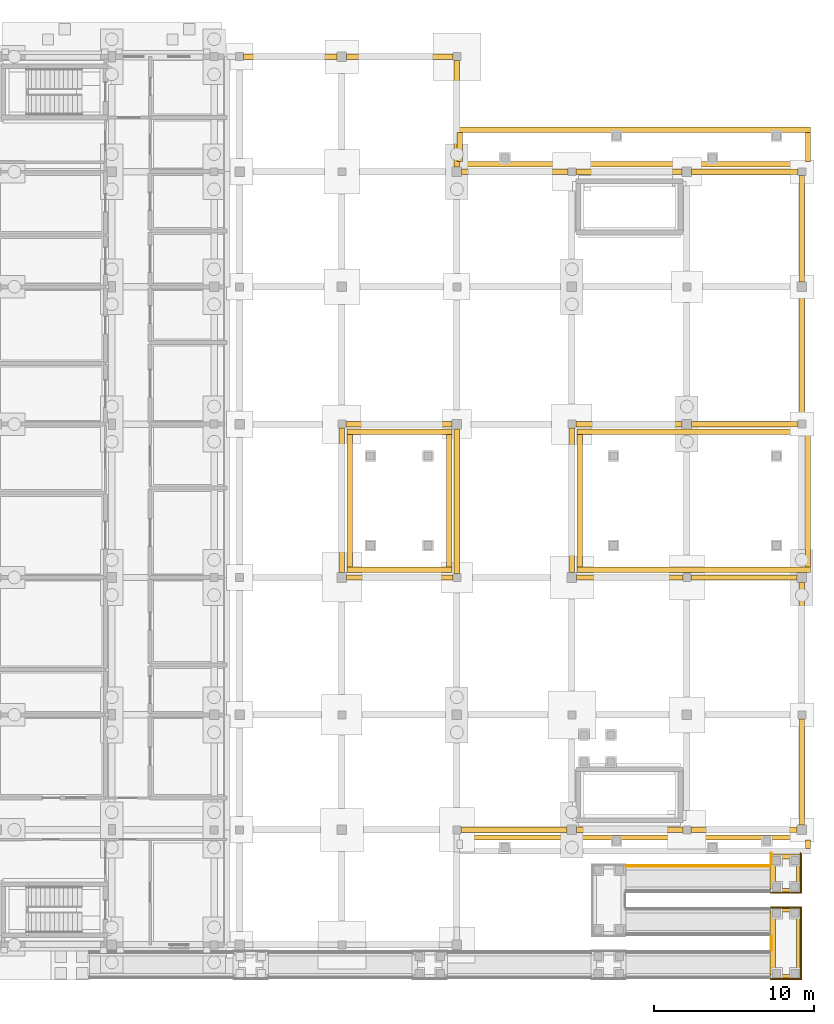
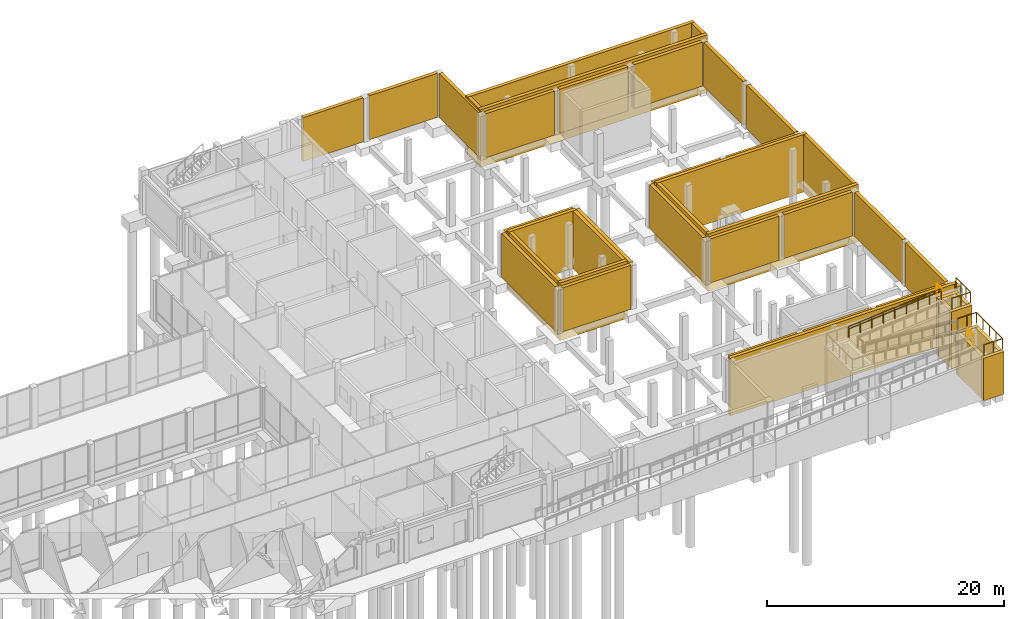
# One storey, part 104 of 104: 44 coverings, 6 railings.
"""IFC4 building model written with IfcOpenShell, lengths in metres."""

from ifc_helpers import new_model, si_unit, direction, frame, frame_2d, origin, origin_2d, place, context, subcontext, project, spatial, rectangle, circle, extrude, material, layer, layer_set, type_object, element, save


model = new_model("IFC4")

# Units and contexts
model_context = context("Model", 3, precision=1e-05, world=origin(), true_north=direction((0.0, 1.0)))
body_context = subcontext(model_context, "Body", "Model", "MODEL_VIEW")
ifc_project = project(units=[si_unit("LENGTHUNIT", "METRE"), si_unit("AREAUNIT", "SQUARE_METRE"), si_unit("VOLUMEUNIT", "CUBIC_METRE"), si_unit("PLANEANGLEUNIT", "RADIAN"), si_unit("MASSUNIT", "GRAM", prefix="KILO")], contexts=[model_context])

# Site, building, storey
site_placement = place(None, origin())
site = spatial("IfcSite", under=ifc_project, at=site_placement, CompositionType="ELEMENT")
building_placement = place(site_placement, origin())
building = spatial("IfcBuilding", under=site, at=building_placement, Name="Hawrajan Terrace Health Centre", CompositionType="ELEMENT")
storey_placement = place(building_placement, origin())
storey = spatial("IfcBuildingStorey", under=building, at=storey_placement, Name="L00", CompositionType="ELEMENT", Elevation=0.0)

# Coverings
ifc_material_1 = material(Name="Precast concrete C40/50", Category="concrete")
ifc_layer = layer(ifc_material_1, 0.340087890625)
ifc_layer_set = layer_set([ifc_layer], Name="Precast concrete C40/50")
covering_type = type_object("IfcCoveringType", Name="EscarpmentAshlar_Cladding", PredefinedType="CLADDING", material=ifc_layer_set)
for number, where, z_axis, x_axis, name in (
    (1, (151.31005859375, 27.679931640625, -1.60009765625), (0.0, 0.0, 1.0), (1.0, 0.0, 0.0), "Escarpment stone plinth cladding APRON-L01-EAST-GAIT-S"),
    (2, (151.31005859375, 36.320068359375, -1.60009765625), (0.0, 0.0, 1.0), (1.0, 0.0, 0.0), "Escarpment stone plinth cladding APRON-L01-EAST-GAIT-N"),
):
    element("IfcCovering", number, at=place(storey_placement, frame(where, z_axis=z_axis, x_axis=x_axis)), inside=storey, type_object=covering_type, Name=name, PredefinedType="CLADDING", context=body_context, shape_type="SweptSolid", body=[
        extrude(rectangle(XDim=14.639892578125, YDim=0.340087890625, at=frame_2d((7.31982421875, 0.0))), origin(), (0.0, 0.0, 1.0), 5.920166015625),
    ])
for number, where, z_axis, x_axis, name in (
    (3, (151.47998046875, 27.85009765625, -1.60009765625), (0.0, 0.0, 1.0), (0.0, 1.0, 0.0), "Escarpment stone plinth cladding APRON-L01-EAST-GAIT-W"),
    (4, (165.780029296875, 27.85009765625, -1.60009765625), (0.0, 0.0, 1.0), (0.0, 1.0, 0.0), "Escarpment stone plinth cladding APRON-L01-EAST-GAIT-E"),
):
    element("IfcCovering", number, at=place(storey_placement, frame(where, z_axis=z_axis, x_axis=x_axis)), inside=storey, type_object=covering_type, Name=name, PredefinedType="CLADDING", context=body_context, shape_type="SweptSolid", body=[
        extrude(rectangle(XDim=8.2998046875, YDim=0.340087890625, at=frame_2d((4.14990234375, 0.0))), origin(), (0.0, 0.0, 1.0), 5.920166015625),
    ])
covering_1_placement = place(storey_placement, frame((143.800048828125, 10.919921875, -1.60009765625), z_axis=(0.0, 0.0, 1.0), x_axis=(1.0, 0.0, 0.0)))
element("IfcCovering", 5, at=covering_1_placement, inside=storey, type_object=covering_type, Name="Escarpment stone plinth cladding APRON-L01-EAST-SOUTH-N", PredefinedType="CLADDING", context=body_context, shape_type="SweptSolid", body=[
    extrude(rectangle(XDim=22.14990234375, YDim=0.340087890625, at=frame_2d((11.074951171875, 0.0))), origin(), (0.0, 0.0, 1.0), 5.920166015625),
])
covering_2_placement = place(storey_placement, frame((165.780029296875, 10.239990234375, -1.60009765625), z_axis=(0.0, 0.0, 1.0), x_axis=(0.0, 1.0, 0.0)))
element("IfcCovering", 6, at=covering_2_placement, inside=storey, type_object=covering_type, Name="Escarpment stone plinth cladding APRON-L01-EAST-SOUTH-E", PredefinedType="CLADDING", context=body_context, shape_type="SweptSolid", body=[
    extrude(rectangle(XDim=0.510009765625, YDim=0.340087890625, at=frame_2d((0.2548828125, 0.0))), origin(), (0.0, 0.0, 1.0), 5.920166015625),
])
for number, where, z_axis, x_axis, name in (
    (7, (143.800048828125, 53.080078125, -1.60009765625), (0.0, 0.0, 1.0), (1.0, 0.0, 0.0), "Escarpment stone plinth cladding APRON-L01-EAST-NORTH-S"),
    (8, (143.800048828125, 55.22998046875, -1.60009765625), (0.0, 0.0, 1.0), (1.0, 0.0, 0.0), "Escarpment stone plinth cladding APRON-L01-EAST-NORTH-N"),
):
    element("IfcCovering", number, at=place(storey_placement, frame(where, z_axis=z_axis, x_axis=x_axis)), inside=storey, type_object=covering_type, Name=name, PredefinedType="CLADDING", context=body_context, shape_type="SweptSolid", body=[
        extrude(rectangle(XDim=22.14990234375, YDim=0.340087890625, at=frame_2d((11.074951171875, 0.0))), origin(), (0.0, 0.0, 1.0), 5.920166015625),
    ])
for number, where, z_axis, x_axis, name in (
    (9, (143.969970703125, 53.25, -1.60009765625), (0.0, 0.0, 1.0), (0.0, 1.0, 0.0), "Escarpment stone plinth cladding APRON-L01-EAST-NORTH-W"),
    (10, (165.780029296875, 53.25, -1.60009765625), (0.0, 0.0, 1.0), (0.0, 1.0, 0.0), "Escarpment stone plinth cladding APRON-L01-EAST-NORTH-E"),
):
    element("IfcCovering", number, at=place(storey_placement, frame(where, z_axis=z_axis, x_axis=x_axis)), inside=storey, type_object=covering_type, Name=name, PredefinedType="CLADDING", context=body_context, shape_type="SweptSolid", body=[
        extrude(rectangle(XDim=1.81005859375, YDim=0.340087890625, at=frame_2d((0.905029296875, 0.0))), origin(), (0.0, 0.0, 1.0), 5.920166015625),
    ])
for number, where, z_axis, x_axis, name in (
    (11, (136.909912109375, 27.679931640625, -1.60009765625), (0.0, 0.0, 1.0), (1.0, 0.0, 0.0), "Escarpment stone plinth cladding APRON-L01-SERVICE-S"),
    (12, (136.909912109375, 36.320068359375, -1.60009765625), (0.0, 0.0, 1.0), (1.0, 0.0, 0.0), "Escarpment stone plinth cladding APRON-L01-SERVICE-N"),
):
    element("IfcCovering", number, at=place(storey_placement, frame(where, z_axis=z_axis, x_axis=x_axis)), inside=storey, type_object=covering_type, Name=name, PredefinedType="CLADDING", context=body_context, shape_type="SweptSolid", body=[
        extrude(rectangle(XDim=6.580078125, YDim=0.340087890625, at=frame_2d((3.2900390625, 0.0))), origin(), (0.0, 0.0, 1.0), 5.920166015625),
    ])
for number, where, z_axis, x_axis, name in (
    (13, (137.080078125, 27.85009765625, -1.60009765625), (0.0, 0.0, 1.0), (0.0, 1.0, 0.0), "Escarpment stone plinth cladding APRON-L01-SERVICE-W"),
    (14, (143.320068359375, 27.85009765625, -1.60009765625), (0.0, 0.0, 1.0), (0.0, 1.0, 0.0), "Escarpment stone plinth cladding APRON-L01-SERVICE-E"),
):
    element("IfcCovering", number, at=place(storey_placement, frame(where, z_axis=z_axis, x_axis=x_axis)), inside=storey, type_object=covering_type, Name=name, PredefinedType="CLADDING", context=body_context, shape_type="SweptSolid", body=[
        extrude(rectangle(XDim=8.2998046875, YDim=0.340087890625, at=frame_2d((4.14990234375, 0.0))), origin(), (0.0, 0.0, 1.0), 5.920166015625),
    ])
for number, where, z_axis, x_axis, name in (
    (15, (163.39990234375, 2.169921875, -1.60009765625), (0.0, 0.0, 1.0), (1.0, 0.0, 0.0), "Escarpment stone plinth cladding RMP-04-LND-S"),
    (16, (163.39990234375, 6.429931640625, -1.60009765625), (0.0, 0.0, 1.0), (1.0, 0.0, 0.0), "Escarpment stone plinth cladding RMP-04-LND-N"),
):
    element("IfcCovering", number, at=place(storey_placement, frame(where, z_axis=z_axis, x_axis=x_axis)), inside=storey, type_object=covering_type, Name=name, PredefinedType="CLADDING", context=body_context, shape_type="SweptSolid", body=[
        extrude(rectangle(XDim=2.0, YDim=0.340087890625, at=frame_2d((1.0, 0.0))), origin(), (0.0, 0.0, 1.0), 4.3701171875),
    ])
for number, where, z_axis, x_axis, name in (
    (17, (163.570068359375, 2.340087890625, -1.60009765625), (0.0, 0.0, 1.0), (0.0, 1.0, 0.0), "Escarpment stone plinth cladding RMP-04-LND-W"),
    (18, (165.22998046875, 2.340087890625, -1.60009765625), (0.0, 0.0, 1.0), (0.0, 1.0, 0.0), "Escarpment stone plinth cladding RMP-04-LND-E"),
):
    element("IfcCovering", number, at=place(storey_placement, frame(where, z_axis=z_axis, x_axis=x_axis)), inside=storey, type_object=covering_type, Name=name, PredefinedType="CLADDING", context=body_context, shape_type="SweptSolid", body=[
        extrude(rectangle(XDim=3.919921875, YDim=0.340087890625, at=frame_2d((1.9599609375, 0.0))), origin(), (0.0, 0.0, 1.0), 4.3701171875),
    ])
for number, where, z_axis, x_axis, name in (
    (19, (163.39990234375, 7.570068359375, -1.60009765625), (0.0, 0.0, 1.0), (1.0, 0.0, 0.0), "Escarpment stone plinth cladding RMP-06-LND-S"),
    (20, (163.39990234375, 9.72998046875, -1.60009765625), (0.0, 0.0, 1.0), (1.0, 0.0, 0.0), "Escarpment stone plinth cladding RMP-06-LND-N"),
):
    element("IfcCovering", number, at=place(storey_placement, frame(where, z_axis=z_axis, x_axis=x_axis)), inside=storey, type_object=covering_type, Name=name, PredefinedType="CLADDING", context=body_context, shape_type="SweptSolid", body=[
        extrude(rectangle(XDim=2.0, YDim=0.340087890625, at=frame_2d((1.0, 0.0))), origin(), (0.0, 0.0, 1.0), 5.8701171875),
    ])
for number, where, z_axis, x_axis, name in (
    (21, (163.570068359375, 7.739990234375, -1.60009765625), (0.0, 0.0, 1.0), (0.0, 1.0, 0.0), "Escarpment stone plinth cladding RMP-06-LND-W"),
    (22, (165.22998046875, 7.739990234375, -1.60009765625), (0.0, 0.0, 1.0), (0.0, 1.0, 0.0), "Escarpment stone plinth cladding RMP-06-LND-E"),
):
    element("IfcCovering", number, at=place(storey_placement, frame(where, z_axis=z_axis, x_axis=x_axis)), inside=storey, type_object=covering_type, Name=name, PredefinedType="CLADDING", context=body_context, shape_type="SweptSolid", body=[
        extrude(rectangle(XDim=1.820068359375, YDim=0.340087890625, at=frame_2d((0.91015625, 0.0))), origin(), (0.0, 0.0, 1.0), 5.8701171875),
    ])
covering_3_placement = place(storey_placement, frame((136.60009765625, 27.5, -0.39990234375), z_axis=(0.0, 0.0, 1.0), x_axis=(0.0, 1.0, 0.0)))
element("IfcCovering", 23, at=covering_3_placement, inside=storey, type_object=covering_type, Name="Eastern limestone escarpment plinth cladding EW-ESC-L00-007", PredefinedType="CLADDING", context=body_context, shape_type="SweptSolid", body=[
    extrude(rectangle(XDim=9.050048828125, YDim=0.340087890625, at=frame_2d((4.52490234375, 0.0))), origin(), (0.0, 0.0, 1.0), 4.52001953125),
])
covering_4_placement = place(storey_placement, frame((130.449951171875, 59.800048828125, -0.39990234375), z_axis=(0.0, 0.0, 1.0), x_axis=(1.0, 0.0, 0.0)))
element("IfcCovering", 24, at=covering_4_placement, inside=storey, type_object=covering_type, Name="Eastern limestone escarpment plinth cladding EW-ESC-L00-011", PredefinedType="CLADDING", context=body_context, shape_type="SweptSolid", body=[
    extrude(rectangle(XDim=5.85009765625, YDim=0.340087890625, at=frame_2d((2.925048828125, 0.0))), origin(), (0.0, 0.0, 1.0), 4.52001953125),
])
covering_5_placement = place(storey_placement, frame((136.89990234375, 27.199951171875, -0.39990234375), z_axis=(0.0, 0.0, 1.0), x_axis=(1.0, 0.0, 0.0)))
element("IfcCovering", 25, at=covering_5_placement, inside=storey, type_object=covering_type, Name="Eastern limestone escarpment plinth cladding EW-ESC-L00-015", PredefinedType="CLADDING", context=body_context, shape_type="SweptSolid", body=[
    extrude(rectangle(XDim=6.650146484375, YDim=0.340087890625, at=frame_2d((3.3251953125, 0.0))), origin(), (0.0, 0.0, 1.0), 4.52001953125),
])
covering_6_placement = place(storey_placement, frame((136.85009765625, 36.800048828125, -0.39990234375), z_axis=(0.0, 0.0, 1.0), x_axis=(1.0, 0.0, 0.0)))
element("IfcCovering", 26, at=covering_6_placement, inside=storey, type_object=covering_type, Name="Eastern limestone escarpment plinth cladding EW-ESC-L00-016", PredefinedType="CLADDING", context=body_context, shape_type="SweptSolid", body=[
    extrude(rectangle(XDim=6.64990234375, YDim=0.340087890625, at=frame_2d((3.324951171875, 0.0))), origin(), (0.0, 0.0, 1.0), 4.52001953125),
])
for number, where, z_axis, x_axis, name in (
    (27, (136.89990234375, 59.800048828125, -0.39990234375), (0.0, 0.0, 1.0), (1.0, 0.0, 0.0), "Eastern limestone escarpment plinth cladding EW-ESC-L00-017"),
    (28, (143.800048828125, 52.89990234375, -0.39990234375), (0.0, 0.0, 1.0), (0.0, 1.0, 0.0), "Eastern limestone escarpment plinth cladding EW-ESC-L00-018"),
):
    element("IfcCovering", number, at=place(storey_placement, frame(where, z_axis=z_axis, x_axis=x_axis)), inside=storey, type_object=covering_type, Name=name, PredefinedType="CLADDING", context=body_context, shape_type="SweptSolid", body=[
        extrude(rectangle(XDim=6.650146484375, YDim=0.340087890625, at=frame_2d((3.3251953125, 0.0))), origin(), (0.0, 0.0, 1.0), 4.52001953125),
    ])
covering_7_placement = place(storey_placement, frame((144.050048828125, 11.39990234375, -0.39990234375), z_axis=(0.0, 0.0, 1.0), x_axis=(1.0, 0.0, 0.0)))
element("IfcCovering", 29, at=covering_7_placement, inside=storey, type_object=covering_type, Name="Eastern limestone escarpment plinth cladding EW-ESC-L00-019", PredefinedType="CLADDING", context=body_context, shape_type="SweptSolid", body=[
    extrude(rectangle(XDim=6.64990234375, YDim=0.340087890625, at=frame_2d((3.324951171875, 0.0))), origin(), (0.0, 0.0, 1.0), 4.52001953125),
])
for number, where, z_axis, x_axis, name in (
    (30, (143.800048828125, 27.449951171875, -0.39990234375), (0.0, 0.0, 1.0), (0.0, 1.0, 0.0), "Eastern limestone escarpment plinth cladding EW-ESC-L00-020"),
    (31, (151.0, 27.5, -0.39990234375), (0.0, 0.0, 1.0), (0.0, 1.0, 0.0), "Eastern limestone escarpment plinth cladding EW-ESC-L00-021"),
):
    element("IfcCovering", number, at=place(storey_placement, frame(where, z_axis=z_axis, x_axis=x_axis)), inside=storey, type_object=covering_type, Name=name, PredefinedType="CLADDING", context=body_context, shape_type="SweptSolid", body=[
        extrude(rectangle(XDim=9.050048828125, YDim=0.340087890625, at=frame_2d((4.52490234375, 0.0))), origin(), (0.0, 0.0, 1.0), 4.52001953125),
    ])
for number, where, z_axis, x_axis, name in (
    (32, (144.10009765625, 52.60009765625, -0.39990234375), (0.0, 0.0, 1.0), (1.0, 0.0, 0.0), "Eastern limestone escarpment plinth cladding EW-ESC-L00-022"),
    (33, (151.300048828125, 11.39990234375, -0.39990234375), (0.0, 0.0, 1.0), (1.0, 0.0, 0.0), "Eastern limestone escarpment plinth cladding EW-ESC-L00-023"),
    (34, (151.300048828125, 27.199951171875, -0.39990234375), (0.0, 0.0, 1.0), (1.0, 0.0, 0.0), "Eastern limestone escarpment plinth cladding EW-ESC-L00-024"),
    (35, (151.25, 36.800048828125, -0.39990234375), (0.0, 0.0, 1.0), (1.0, 0.0, 0.0), "Eastern limestone escarpment plinth cladding EW-ESC-L00-025"),
    (36, (151.25, 52.60009765625, -0.39990234375), (0.0, 0.0, 1.0), (1.0, 0.0, 0.0), "Eastern limestone escarpment plinth cladding EW-ESC-L00-026"),
):
    element("IfcCovering", number, at=place(storey_placement, frame(where, z_axis=z_axis, x_axis=x_axis)), inside=storey, type_object=covering_type, Name=name, PredefinedType="CLADDING", context=body_context, shape_type="SweptSolid", body=[
        extrude(rectangle(XDim=6.64990234375, YDim=0.340087890625, at=frame_2d((3.324951171875, 0.0))), origin(), (0.0, 0.0, 1.0), 4.52001953125),
    ])
for number, where, z_axis, x_axis, name in (
    (37, (158.449951171875, 11.39990234375, -0.39990234375), (0.0, 0.0, 1.0), (1.0, 0.0, 0.0), "Eastern limestone escarpment plinth cladding EW-ESC-L00-027"),
    (38, (165.39990234375, 11.699951171875, -0.39990234375), (0.0, 0.0, 1.0), (0.0, 1.0, 0.0), "Eastern limestone escarpment plinth cladding EW-ESC-L00-028"),
    (39, (158.449951171875, 27.199951171875, -0.39990234375), (0.0, 0.0, 1.0), (1.0, 0.0, 0.0), "Eastern limestone escarpment plinth cladding EW-ESC-L00-029"),
):
    element("IfcCovering", number, at=place(storey_placement, frame(where, z_axis=z_axis, x_axis=x_axis)), inside=storey, type_object=covering_type, Name=name, PredefinedType="CLADDING", context=body_context, shape_type="SweptSolid", body=[
        extrude(rectangle(XDim=6.650146484375, YDim=0.340087890625, at=frame_2d((3.3251953125, 0.0))), origin(), (0.0, 0.0, 1.0), 4.52001953125),
    ])
covering_8_placement = place(storey_placement, frame((165.39990234375, 18.85009765625, -0.39990234375), z_axis=(0.0, 0.0, 1.0), x_axis=(0.0, 1.0, 0.0)))
element("IfcCovering", 40, at=covering_8_placement, inside=storey, type_object=covering_type, Name="Eastern limestone escarpment plinth cladding EW-ESC-L00-030", PredefinedType="CLADDING", context=body_context, shape_type="SweptSolid", body=[
    extrude(rectangle(XDim=8.0498046875, YDim=0.340087890625, at=frame_2d((4.02490234375, 0.0))), origin(), (0.0, 0.0, 1.0), 4.52001953125),
])
covering_9_placement = place(storey_placement, frame((158.5, 36.800048828125, -0.39990234375), z_axis=(0.0, 0.0, 1.0), x_axis=(1.0, 0.0, 0.0)))
element("IfcCovering", 41, at=covering_9_placement, inside=storey, type_object=covering_type, Name="Eastern limestone escarpment plinth cladding EW-ESC-L00-031", PredefinedType="CLADDING", context=body_context, shape_type="SweptSolid", body=[
    extrude(rectangle(XDim=6.64990234375, YDim=0.340087890625, at=frame_2d((3.324951171875, 0.0))), origin(), (0.0, 0.0, 1.0), 4.52001953125),
])
covering_10_placement = place(storey_placement, frame((165.39990234375, 37.050048828125, -0.39990234375), z_axis=(0.0, 0.0, 1.0), x_axis=(0.0, 1.0, 0.0)))
element("IfcCovering", 42, at=covering_10_placement, inside=storey, type_object=covering_type, Name="Eastern limestone escarpment plinth cladding EW-ESC-L00-032", PredefinedType="CLADDING", context=body_context, shape_type="SweptSolid", body=[
    extrude(rectangle(XDim=8.050048828125, YDim=0.340087890625, at=frame_2d((4.02490234375, 0.0))), origin(), (0.0, 0.0, 1.0), 4.52001953125),
])
covering_11_placement = place(storey_placement, frame((158.5, 52.60009765625, -0.39990234375), z_axis=(0.0, 0.0, 1.0), x_axis=(1.0, 0.0, 0.0)))
element("IfcCovering", 43, at=covering_11_placement, inside=storey, type_object=covering_type, Name="Eastern limestone escarpment plinth cladding EW-ESC-L00-033", PredefinedType="CLADDING", context=body_context, shape_type="SweptSolid", body=[
    extrude(rectangle(XDim=6.64990234375, YDim=0.340087890625, at=frame_2d((3.324951171875, 0.0))), origin(), (0.0, 0.0, 1.0), 4.52001953125),
])
covering_12_placement = place(storey_placement, frame((165.39990234375, 45.699951171875, -0.39990234375), z_axis=(0.0, 0.0, 1.0), x_axis=(0.0, 1.0, 0.0)))
element("IfcCovering", 44, at=covering_12_placement, inside=storey, type_object=covering_type, Name="Eastern limestone escarpment plinth cladding EW-ESC-L00-034", PredefinedType="CLADDING", context=body_context, shape_type="SweptSolid", body=[
    extrude(rectangle(XDim=6.650146484375, YDim=0.340087890625, at=frame_2d((3.3251953125, 0.0))), origin(), (0.0, 0.0, 1.0), 4.52001953125),
])

# Railings
ifc_material_2 = material(Name="Brushed stainless steel handrail", Category="steel")
railing_type_1 = type_object("IfcRailingType", Name="RampHandrail_920", PredefinedType="HANDRAIL", material=ifc_material_2)
railing_1_placement = place(storey_placement, frame((154.39990234375, 9.110107421875, 3.75)))
element("IfcRailing", 45, at=railing_1_placement, inside=storey, type_object=railing_type_1, Name="Ramp accessible handrail AR-06-H2", PredefinedType="HANDRAIL", context=body_context, shape_type="SweptSolid", body=[
    extrude(circle(Radius=0.02392578125, at=origin_2d()), frame((0.02880859375, 0.0, 0.898193359375), z_axis=(0.996545758245, 0.0, 0.083045479854), x_axis=(0.0, 1.0, 0.0)), (0.0, 0.0, 1.0), 8.973388671875),
    extrude(circle(Radius=0.02099609375, at=origin_2d()), origin(), (0.0, 0.0, 1.0), 0.866943359375),
    extrude(circle(Radius=0.02099609375, at=origin_2d()), frame((1.125, 0.0, 0.09375)), (0.0, 0.0, 1.0), 0.866943359375),
    extrude(circle(Radius=0.02099609375, at=origin_2d()), frame((2.25, 0.0, 0.1875)), (0.0, 0.0, 1.0), 0.866943359375),
    extrude(circle(Radius=0.02099609375, at=origin_2d()), frame((3.375, 0.0, 0.28125)), (0.0, 0.0, 1.0), 0.866943359375),
    extrude(circle(Radius=0.02099609375, at=origin_2d()), frame((4.5, 0.0, 0.375)), (0.0, 0.0, 1.0), 0.866943359375),
    extrude(circle(Radius=0.02099609375, at=origin_2d()), frame((5.625, 0.0, 0.46875)), (0.0, 0.0, 1.0), 0.866943359375),
    extrude(circle(Radius=0.02099609375, at=origin_2d()), frame((6.75, 0.0, 0.5625)), (0.0, 0.0, 1.0), 0.866943359375),
    extrude(circle(Radius=0.02099609375, at=origin_2d()), frame((7.875, 0.0, 0.65625)), (0.0, 0.0, 1.0), 0.866943359375),
    extrude(circle(Radius=0.02099609375, at=origin_2d()), frame((9.0, 0.0, 0.75)), (0.0, 0.0, 1.0), 0.866943359375),
])
ifc_material_3 = material(Name="Anodized bronze post and balustrade guard")
railing_type_2 = type_object("IfcRailingType", Name="TerraceGuard_1120", PredefinedType="GUARDRAIL", material=ifc_material_3)
railing_2_placement = place(storey_placement, frame((163.47998046875, 2.080078125, 3.0)))
element("IfcRailing", 46, at=railing_2_placement, inside=storey, type_object=railing_type_2, Name="Ramp landing guard RMP-04-LGR-OUT", PredefinedType="GUARDRAIL", context=body_context, shape_type="SweptSolid", body=[
    extrude(circle(Radius=0.02392578125, at=origin_2d()), frame((0.02880859375, 0.0, 1.09619140625), z_axis=(1.0, 0.0, 0.0), x_axis=(0.0, 1.0, 0.0)), (0.0, 0.0, 1.0), 1.782470703125),
    extrude(circle(Radius=0.02392578125, at=origin_2d()), frame((1.840087890625, 0.02880859375, 1.09619140625), z_axis=(0.0, 1.0, 0.0), x_axis=(-1.0, 0.0, 0.0)), (0.0, 0.0, 1.0), 4.38232421875),
    extrude(circle(Radius=0.02392578125, at=origin_2d()), frame((1.811279296875, 4.43994140625, 1.09619140625), z_axis=(-1.0, 0.0, 0.0), x_axis=(0.0, -1.0, 0.0)), (0.0, 0.0, 1.0), 1.782470703125),
    extrude(circle(Radius=0.02099609375, at=origin_2d()), origin(), (0.0, 0.0, 1.0), 1.067138671875),
    extrude(circle(Radius=0.02099609375, at=origin_2d()), frame((0.919921875, 0.0, 0.0)), (0.0, 0.0, 1.0), 1.067138671875),
    extrude(circle(Radius=0.02099609375, at=origin_2d()), frame((1.840087890625, 0.0, 0.0)), (0.0, 0.0, 1.0), 1.067138671875),
    extrude(circle(Radius=0.02099609375, at=origin_2d()), frame((1.840087890625, 1.10986328125, 0.0)), (0.0, 0.0, 1.0), 1.067138671875),
    extrude(circle(Radius=0.02099609375, at=origin_2d()), frame((1.840087890625, 2.219970703125, 0.0)), (0.0, 0.0, 1.0), 1.067138671875),
    extrude(circle(Radius=0.02099609375, at=origin_2d()), frame((1.840087890625, 3.330078125, 0.0)), (0.0, 0.0, 1.0), 1.067138671875),
    extrude(circle(Radius=0.02099609375, at=origin_2d()), frame((1.840087890625, 4.43994140625, 0.0)), (0.0, 0.0, 1.0), 1.067138671875),
    extrude(circle(Radius=0.02099609375, at=origin_2d()), frame((0.919921875, 4.43994140625, 0.0)), (0.0, 0.0, 1.0), 1.067138671875),
    extrude(circle(Radius=0.02099609375, at=origin_2d()), frame((0.0, 4.43994140625, 0.0)), (0.0, 0.0, 1.0), 1.067138671875),
])
railing_3_placement = place(storey_placement, frame((163.47998046875, 3.85009765625, 3.0)))
element("IfcRailing", 47, at=railing_3_placement, inside=storey, type_object=railing_type_2, Name="Ramp landing guard RMP-04-LGR-MID", PredefinedType="GUARDRAIL", context=body_context, shape_type="SweptSolid", body=[
    extrude(circle(Radius=0.02392578125, at=origin_2d()), frame((0.0, 0.02880859375, 1.09619140625), z_axis=(0.0, 1.0, 0.0), x_axis=(-1.0, 0.0, 0.0)), (0.0, 0.0, 1.0), 0.84228515625),
    extrude(circle(Radius=0.02099609375, at=origin_2d()), origin(), (0.0, 0.0, 1.0), 1.067138671875),
    extrude(circle(Radius=0.02099609375, at=origin_2d()), frame((0.0, 0.89990234375, 0.0)), (0.0, 0.0, 1.0), 1.067138671875),
])
railing_4_placement = place(storey_placement, frame((154.39990234375, 9.169921875, 3.75)))
element("IfcRailing", 48, at=railing_4_placement, inside=storey, type_object=railing_type_2, Name="Ramp edge guard AR-06-G2", PredefinedType="GUARDRAIL", context=body_context, shape_type="SweptSolid", body=[
    extrude(circle(Radius=0.02392578125, at=origin_2d()), frame((0.02880859375, 0.0, 1.098388671875), z_axis=(0.996545758245, 0.0, 0.083045479854), x_axis=(0.0, 1.0, 0.0)), (0.0, 0.0, 1.0), 8.973388671875),
    extrude(circle(Radius=0.02099609375, at=origin_2d()), origin(), (0.0, 0.0, 1.0), 1.067138671875),
    extrude(circle(Radius=0.02099609375, at=origin_2d()), frame((1.125, 0.0, 0.09375)), (0.0, 0.0, 1.0), 1.067138671875),
    extrude(circle(Radius=0.02099609375, at=origin_2d()), frame((2.25, 0.0, 0.1875)), (0.0, 0.0, 1.0), 1.067138671875),
    extrude(circle(Radius=0.02099609375, at=origin_2d()), frame((3.375, 0.0, 0.28125)), (0.0, 0.0, 1.0), 1.067138671875),
    extrude(circle(Radius=0.02099609375, at=origin_2d()), frame((4.5, 0.0, 0.375)), (0.0, 0.0, 1.0), 1.067138671875),
    extrude(circle(Radius=0.02099609375, at=origin_2d()), frame((5.625, 0.0, 0.46875)), (0.0, 0.0, 1.0), 1.067138671875),
    extrude(circle(Radius=0.02099609375, at=origin_2d()), frame((6.75, 0.0, 0.5625)), (0.0, 0.0, 1.0), 1.067138671875),
    extrude(circle(Radius=0.02099609375, at=origin_2d()), frame((7.875, 0.0, 0.65625)), (0.0, 0.0, 1.0), 1.067138671875),
    extrude(circle(Radius=0.02099609375, at=origin_2d()), frame((9.0, 0.0, 0.75)), (0.0, 0.0, 1.0), 1.067138671875),
])
railing_5_placement = place(storey_placement, frame((163.47998046875, 7.47998046875, 4.5)))
element("IfcRailing", 49, at=railing_5_placement, inside=storey, type_object=railing_type_2, Name="Ramp landing guard RMP-06-LGR-SE", PredefinedType="GUARDRAIL", context=body_context, shape_type="SweptSolid", body=[
    extrude(circle(Radius=0.02392578125, at=origin_2d()), frame((0.02880859375, 0.0, 1.09619140625), z_axis=(1.0, 0.0, 0.0), x_axis=(0.0, 1.0, 0.0)), (0.0, 0.0, 1.0), 1.782470703125),
    extrude(circle(Radius=0.02392578125, at=origin_2d()), frame((1.840087890625, 0.02880859375, 1.09619140625), z_axis=(0.0, 1.0, 0.0), x_axis=(-1.0, 0.0, 0.0)), (0.0, 0.0, 1.0), 2.42236328125),
    extrude(circle(Radius=0.02099609375, at=origin_2d()), origin(), (0.0, 0.0, 1.0), 1.067138671875),
    extrude(circle(Radius=0.02099609375, at=origin_2d()), frame((0.919921875, 0.0, 0.0)), (0.0, 0.0, 1.0), 1.067138671875),
    extrude(circle(Radius=0.02099609375, at=origin_2d()), frame((1.840087890625, 0.0, 0.0)), (0.0, 0.0, 1.0), 1.067138671875),
    extrude(circle(Radius=0.02099609375, at=origin_2d()), frame((1.840087890625, 0.82666015625, 0.0)), (0.0, 0.0, 1.0), 1.067138671875),
    extrude(circle(Radius=0.02099609375, at=origin_2d()), frame((1.840087890625, 1.6533203125, 0.0)), (0.0, 0.0, 1.0), 1.067138671875),
    extrude(circle(Radius=0.02099609375, at=origin_2d()), frame((1.840087890625, 2.47998046875, 0.0)), (0.0, 0.0, 1.0), 1.067138671875),
])
railing_6_placement = place(storey_placement, frame((163.47998046875, 9.25, 4.5)))
element("IfcRailing", 50, at=railing_6_placement, inside=storey, type_object=railing_type_2, Name="Ramp landing guard RMP-06-LGR-WN", PredefinedType="GUARDRAIL", context=body_context, shape_type="SweptSolid", body=[
    extrude(circle(Radius=0.02392578125, at=origin_2d()), frame((0.0, 0.02880859375, 1.09619140625), z_axis=(0.0, 1.0, 0.0), x_axis=(-1.0, 0.0, 0.0)), (0.0, 0.0, 1.0), 0.65234375),
    extrude(circle(Radius=0.02099609375, at=origin_2d()), origin(), (0.0, 0.0, 1.0), 1.067138671875),
    extrude(circle(Radius=0.02099609375, at=origin_2d()), frame((0.0, 0.7099609375, 0.0)), (0.0, 0.0, 1.0), 1.067138671875),
])

save(model, "model.ifc")
